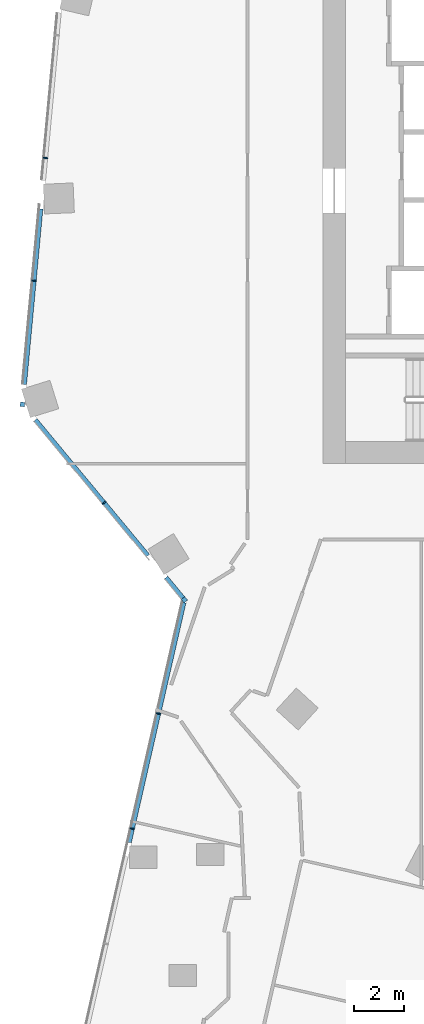
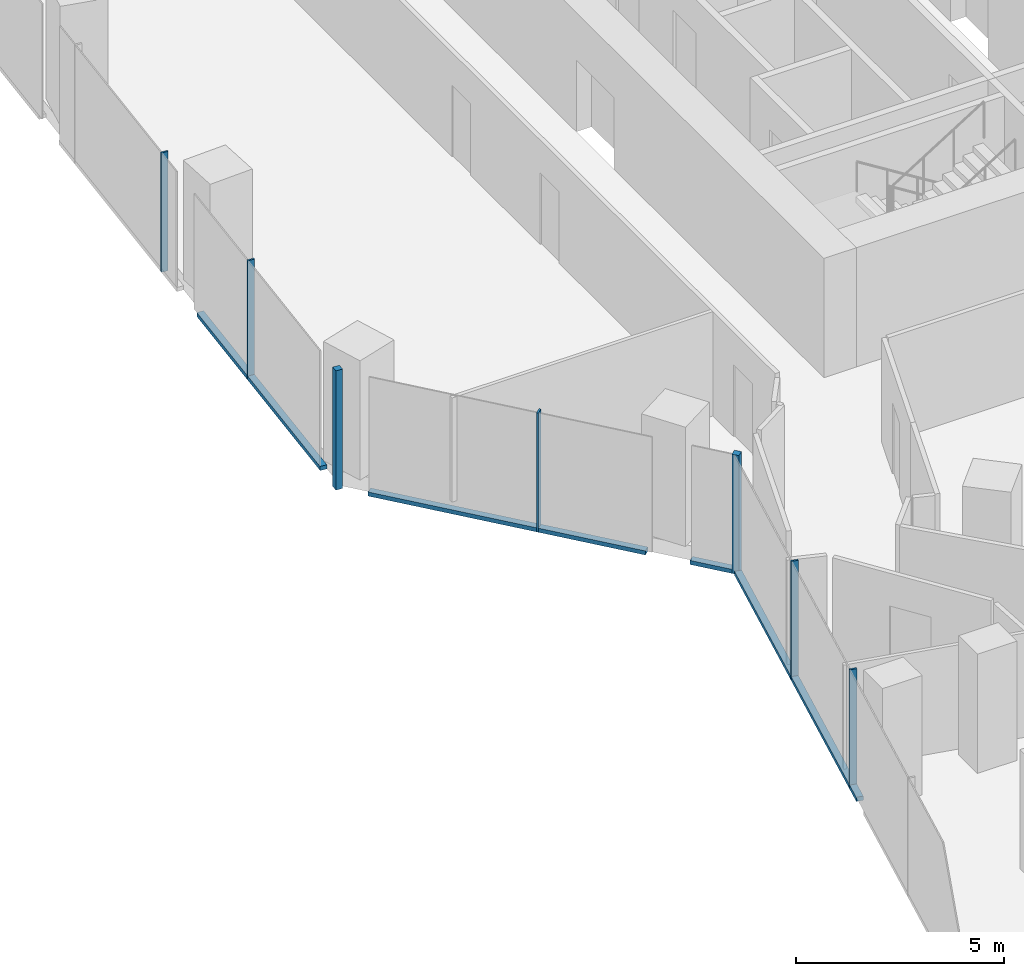
# One storey, part 7 of 24: 11 members, 3 elements without a shape of their own.
"""IFC4 building model written with IfcOpenShell, lengths in metres."""

from ifc_helpers import new_model, si_unit, direction, frame, origin, origin_2d, place, context, subcontext, project, spatial, rectangle, extrude, material, material_profile, profile_set, type_object, element, aggregate, save


model = new_model("IFC4")

# Units and contexts
model_context = context("Model", 3, precision=1e-05, world=origin(), true_north=direction((0.0, 1.0)))
body_context = subcontext(model_context, "Body", "Model", "MODEL_VIEW")
ifc_project = project(units=[si_unit("LENGTHUNIT", "METRE"), si_unit("AREAUNIT", "SQUARE_METRE"), si_unit("VOLUMEUNIT", "CUBIC_METRE"), si_unit("PLANEANGLEUNIT", "RADIAN"), si_unit("MASSUNIT", "GRAM", prefix="KILO")], contexts=[model_context])

# Site, building, storey
site_placement = place(None, origin())
site = spatial("IfcSite", under=ifc_project, at=site_placement, CompositionType="ELEMENT")
building_placement = place(site_placement, origin())
building = spatial("IfcBuilding", under=site, at=building_placement, Name="Orlundy Tower", CompositionType="ELEMENT")
storey_placement = place(building_placement, frame((0.0, 0.0, 174.10009765625)))
storey = spatial("IfcBuildingStorey", under=building, at=storey_placement, Name="L45", CompositionType="ELEMENT", Elevation=174.10009765625)

# Curtain wall, member
ifc_material_1 = material(Name="Aluminium bronze anodised", Category="aluminium")
curtain_wall_type = type_object("IfcCurtainWallType", Name="CW1 wall", PredefinedType="NOTDEFINED", material=ifc_material_1)
curtain_wall_1_placement = place(storey_placement, origin())
curtain_wall_1 = element("IfcCurtainWall", 1, at=curtain_wall_1_placement, inside=storey, type_object=curtain_wall_type, Name="CW1 run 01", PredefinedType="NOTDEFINED")
ifc_material_2 = material(Name="Aluminium bronze anodised", Category="aluminium")
ifc_material_profile_1 = material_profile(ifc_material_2, rectangle(XDim=0.179931640625, YDim=0.179931640625, at=origin_2d()), Name="CW1 corner post 180x180")
ifc_profile_set_1 = profile_set([ifc_material_profile_1], Name="Aluminium bronze anodised")
member_type_1 = type_object("IfcMemberType", Name="CW1 corner post 180x180", PredefinedType="MULLION", material=ifc_profile_set_1)
member_1_placement = place(storey_placement, frame((-24.588623046875, -17.4873046875, -0.420166015625), z_axis=(0.0, 0.0, 1.0), x_axis=(-0.769788399055, -0.638299162368, 0.0)))
member_1 = element("IfcMember", 2, at=member_1_placement, type_object=member_type_1, Name="CW1 mullion 7", PredefinedType="MULLION", context=body_context, shape_type="SweptSolid", body=[
    extrude(rectangle(XDim=0.179931640625, YDim=0.179931640625, at=origin_2d()), origin(), (0.0, 0.0, 1.0), 3.5),
])

curtain_wall_2_placement = place(storey_placement, origin())
curtain_wall_2 = element("IfcCurtainWall", 3, at=curtain_wall_2_placement, inside=storey, type_object=curtain_wall_type, Name="CW1 run 02", PredefinedType="NOTDEFINED")
member_2_placement = place(storey_placement, frame((-31.1181640625, -9.61279296875, -0.420166015625), z_axis=(0.0, 0.0, 1.0), x_axis=(-0.995670958136, 0.092948066811, 0.0)))
member_2 = element("IfcMember", 4, at=member_2_placement, type_object=member_type_1, Name="CW1 mullion 9", PredefinedType="MULLION", context=body_context, shape_type="SweptSolid", body=[
    extrude(rectangle(XDim=0.179931640625, YDim=0.179931640625, at=origin_2d()), origin(), (0.0, 0.0, 1.0), 3.5),
])

# Curtain wall, members
curtain_wall_3_placement = place(storey_placement, origin())
curtain_wall_3 = element("IfcCurtainWall", 5, at=curtain_wall_3_placement, inside=storey, type_object=curtain_wall_type, Name="CW1 run 00", PredefinedType="NOTDEFINED")
ifc_material_3 = material(Name="Aluminium bronze anodised", Category="aluminium")
ifc_material_profile_2 = material_profile(ifc_material_3, rectangle(XDim=0.179931640625, YDim=0.050048828125, at=origin_2d()), Name="CW1 mullion 50x180")
ifc_profile_set_2 = profile_set([ifc_material_profile_2], Name="Aluminium bronze anodised")
member_type_2 = type_object("IfcMemberType", Name="CW1 mullion 50x180", PredefinedType="MULLION", material=ifc_profile_set_2)
member_3_placement = place(storey_placement, frame((-26.691162109375, -26.71728515625, -0.420166015625), z_axis=(0.0, 0.0, 1.0), x_axis=(-0.97502463614, 0.222096733251, 0.0)))
member_3 = element("IfcMember", 6, at=member_3_placement, type_object=member_type_2, Name="CW1 mullion 5", PredefinedType="MULLION", context=body_context, shape_type="SweptSolid", body=[
    extrude(rectangle(XDim=0.179931640625, YDim=0.050048828125, at=origin_2d()), origin(), (0.0, 0.0, 1.0), 3.5),
])
member_4_placement = place(storey_placement, frame((-25.635009765625, -22.08056640625, -0.420166015625), z_axis=(0.0, 0.0, 1.0), x_axis=(-0.97502463614, 0.222096733251, 0.0)))
member_4 = element("IfcMember", 7, at=member_4_placement, type_object=member_type_2, Name="CW1 mullion 6", PredefinedType="MULLION", context=body_context, shape_type="SweptSolid", body=[
    extrude(rectangle(XDim=0.179931640625, YDim=0.050048828125, at=origin_2d()), origin(), (0.0, 0.0, 1.0), 3.5),
])

# Member
member_5_placement = place(storey_placement, frame((-27.827392578125, -13.58154296875, -0.420166015625), z_axis=(0.0, 0.0, 1.0), x_axis=(-0.769788399055, -0.638299162368, 0.0)))
member_5 = element("IfcMember", 8, at=member_5_placement, type_object=member_type_2, Name="CW1 mullion 8", PredefinedType="MULLION", context=body_context, shape_type="SweptSolid", body=[
    extrude(rectangle(XDim=0.179931640625, YDim=0.050048828125, at=origin_2d()), origin(), (0.0, 0.0, 1.0), 3.5),
])

member_6_placement = place(storey_placement, frame((-30.652587890625, -4.626708984375, -0.420166015625), z_axis=(0.0, 0.0, 1.0), x_axis=(-0.995670958136, 0.092948066811, 0.0)))
member_6 = element("IfcMember", 9, at=member_6_placement, type_object=member_type_2, Name="CW1 mullion 10", PredefinedType="MULLION", context=body_context, shape_type="SweptSolid", body=[
    extrude(rectangle(XDim=0.179931640625, YDim=0.050048828125, at=origin_2d()), origin(), (0.0, 0.0, 1.0), 3.5),
])

member_7_placement = place(storey_placement, frame((-30.190673828125, 0.322265625, -0.420166015625), z_axis=(0.0, 0.0, 1.0), x_axis=(-0.995670958136, 0.092948066811, 0.0)))
member_7 = element("IfcMember", 10, at=member_7_placement, type_object=member_type_2, Name="CW1 mullion 11", PredefinedType="MULLION", context=body_context, shape_type="SweptSolid", body=[
    extrude(rectangle(XDim=0.179931640625, YDim=0.050048828125, at=origin_2d()), origin(), (0.0, 0.0, 1.0), 3.5),
])

ifc_material_4 = material(Name="Aluminium bronze anodised", Category="aluminium")
ifc_material_profile_3 = material_profile(ifc_material_4, rectangle(XDim=0.179931640625, YDim=0.1201171875, at=origin_2d()), Name="CW1 transom 180x120")
ifc_profile_set_3 = profile_set([ifc_material_profile_3], Name="Aluminium bronze anodised")
member_type_3 = type_object("IfcMemberType", Name="CW1 transom 180x120", PredefinedType="USERDEFINED", material=ifc_profile_set_3)
member_8_placement = place(storey_placement, frame((-26.81640625, -27.26708984375, -0.360107421875), z_axis=(0.222109482771, 0.975021731893, 0.0), x_axis=(-0.975021731893, 0.222109482771, 0.0)))
member_8 = element("IfcMember", 11, at=member_8_placement, type_object=member_type_3, Name="CW1 transom", ObjectType="TRANSOM", PredefinedType="USERDEFINED", context=body_context, shape_type="SweptSolid", body=[
    extrude(rectangle(XDim=0.179931640625, YDim=0.1201171875, at=origin_2d()), origin(), (0.0, 0.0, 1.0), 9.9169921875),
])

aggregate(curtain_wall_3, [member_3, member_4, member_8])

member_9_placement = place(storey_placement, frame((-24.64599609375, -17.41796875, -0.360107421875), z_axis=(-0.638279962765, 0.769804318728, 0.0), x_axis=(-0.769804318728, -0.638279962765, 0.0)))
member_9 = element("IfcMember", 12, at=member_9_placement, type_object=member_type_3, Name="CW1 transom", ObjectType="TRANSOM", PredefinedType="USERDEFINED", context=body_context, shape_type="SweptSolid", body=[
    extrude(rectangle(XDim=0.179931640625, YDim=0.1201171875, at=origin_2d()), origin(), (0.0, 0.0, 1.0), 1.072998046875),
])

member_10_placement = place(storey_placement, frame((-26.0625, -15.709716796875, -0.360107421875), z_axis=(-0.63831452817, 0.769775657661, 0.0), x_axis=(-0.769775657661, -0.63831452817, 0.0)))
member_10 = element("IfcMember", 13, at=member_10_placement, type_object=member_type_3, Name="CW1 transom", ObjectType="TRANSOM", PredefinedType="USERDEFINED", context=body_context, shape_type="SweptSolid", body=[
    extrude(rectangle(XDim=0.179931640625, YDim=0.1201171875, at=origin_2d()), origin(), (0.0, 0.0, 1.0), 7.109130859375),
])

aggregate(curtain_wall_1, [member_1, member_5, member_9, member_10])

member_11_placement = place(storey_placement, frame((-31.04248046875, -8.803955078125, -0.360107421875), z_axis=(0.092945802311, 0.99567116953, 0.0), x_axis=(-0.99567116953, 0.092945802311, 0.0)))
member_11 = element("IfcMember", 14, at=member_11_placement, type_object=member_type_3, Name="CW1 transom", ObjectType="TRANSOM", PredefinedType="USERDEFINED", context=body_context, shape_type="SweptSolid", body=[
    extrude(rectangle(XDim=0.179931640625, YDim=0.1201171875, at=origin_2d()), origin(), (0.0, 0.0, 1.0), 7.105224609375),
])

aggregate(curtain_wall_2, [member_2, member_6, member_7, member_11])

save(model, "model.ifc")
